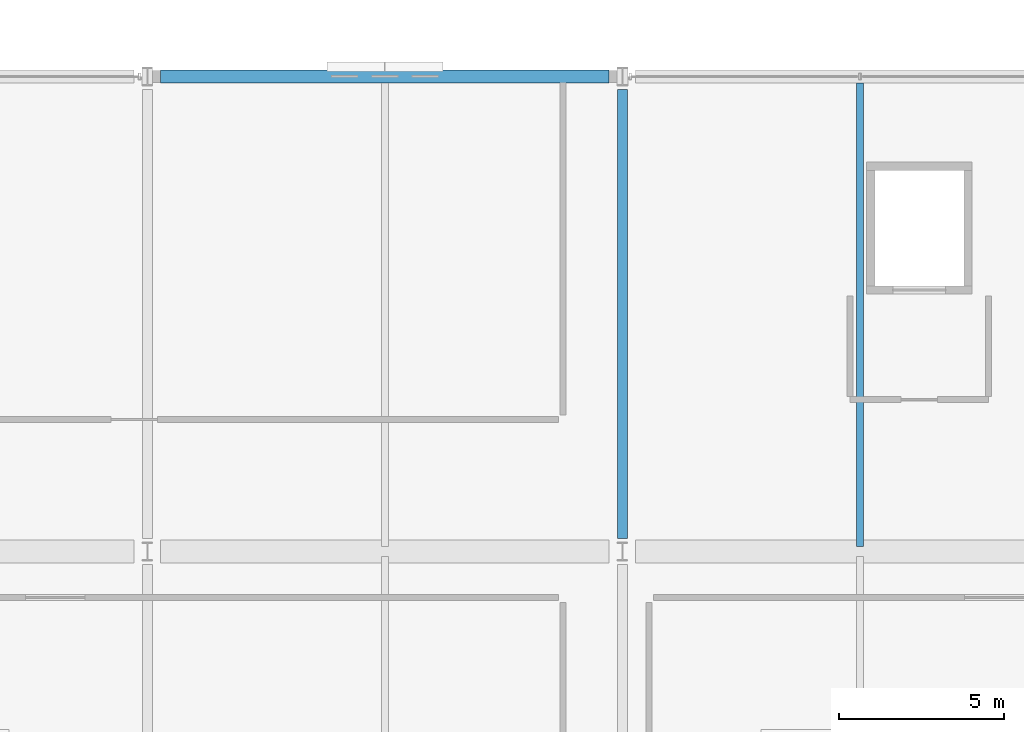
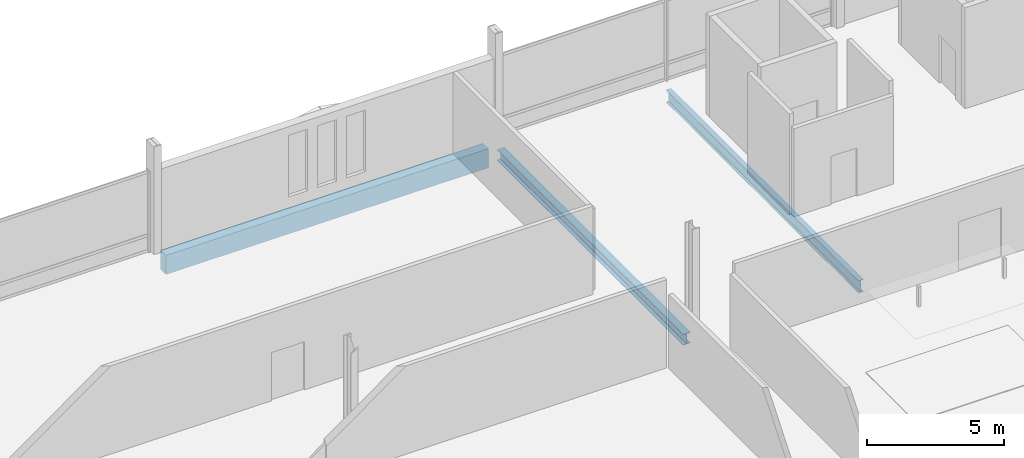
# One storey, part 126 of 220: 3 beams.
"""IFC4 building model written with IfcOpenShell, lengths in metres."""

from ifc_helpers import new_model, si_unit, direction, frame, origin, origin_2d, place, context, subcontext, project, spatial, rectangle, i_section, extrude, material, material_profile, profile_set, type_object, element, save


model = new_model("IFC4")

# Units and contexts
model_context = context("Model", 3, precision=1e-05, world=origin(), true_north=direction((0.0, 1.0)))
body_context = subcontext(model_context, "Body", "Model", "MODEL_VIEW")
ifc_project = project(units=[si_unit("LENGTHUNIT", "METRE"), si_unit("AREAUNIT", "SQUARE_METRE"), si_unit("VOLUMEUNIT", "CUBIC_METRE"), si_unit("PLANEANGLEUNIT", "RADIAN"), si_unit("MASSUNIT", "GRAM", prefix="KILO")], contexts=[model_context])

# Site, building, storey
site_placement = place(None, origin())
site = spatial("IfcSite", under=ifc_project, at=site_placement, CompositionType="ELEMENT")
building_placement = place(site_placement, origin())
building = spatial("IfcBuilding", under=site, at=building_placement, Name="Cendralis Lancet Convention Centre", CompositionType="ELEMENT")
storey_placement = place(building_placement, frame((0.0, 0.0, 5.39990234375)))
storey = spatial("IfcBuildingStorey", under=building, at=storey_placement, Name="L01", CompositionType="ELEMENT", Elevation=5.39990234375)

# Beams
ifc_material_1 = material(Name="Steel S355", Category="steel")
ifc_material_profile_1 = material_profile(ifc_material_1, i_section(OverallWidth=0.300048828125, OverallDepth=0.489990234375, WebThickness=0.011962890625, FlangeThickness=0.02294921875, FilletRadius=0.027099609375, at=origin_2d()), Name="HEA 500")
ifc_profile_set_1 = profile_set([ifc_material_profile_1], Name="Steel S355")
beam_type_1 = type_object("IfcBeamType", Name="STR-BM-SG12", PredefinedType="BEAM", material=ifc_profile_set_1)
beam_1_placement = place(storey_placement, frame((182.39990234375, 122.800048828125, -0.52490234375), z_axis=(0.0, 1.0, 0.0), x_axis=(-1.0, 0.0, 0.0)))
element("IfcBeam", 1, at=beam_1_placement, inside=storey, type_object=beam_type_1, Name="L01 Beam SG12 #1677", PredefinedType="BEAM", context=body_context, shape_type="SweptSolid", body=[
    extrude(i_section(OverallWidth=0.300048828125, OverallDepth=0.489990234375, WebThickness=0.011962890625, FlangeThickness=0.02294921875, FilletRadius=0.027099609375, at=origin_2d()), origin(), (0.0, 0.0, 1.0), 13.599853515625),
])
ifc_material_profile_2 = material_profile(ifc_material_1, i_section(OverallWidth=0.2099609375, OverallDepth=0.550048828125, WebThickness=0.010986328125, FlangeThickness=0.01708984375, FilletRadius=0.02392578125, at=origin_2d()), Name="IPE 550")
ifc_profile_set_2 = profile_set([ifc_material_profile_2], Name="Steel S355")
beam_type_2 = type_object("IfcBeamType", Name="STR-JS-BJ05", PredefinedType="JOIST", material=ifc_profile_set_2)
beam_2_placement = place(storey_placement, frame((189.60009765625, 122.550048828125, -0.554931640625), z_axis=(0.0, 1.0, 0.0), x_axis=(-1.0, 0.0, 0.0)))
element("IfcBeam", 2, at=beam_2_placement, inside=storey, type_object=beam_type_2, Name="L01 Beam BJ05 #1694", PredefinedType="JOIST", context=body_context, shape_type="SweptSolid", body=[
    extrude(i_section(OverallWidth=0.2099609375, OverallDepth=0.550048828125, WebThickness=0.010986328125, FlangeThickness=0.01708984375, FilletRadius=0.02392578125, at=origin_2d()), origin(), (0.0, 0.0, 1.0), 14.050048828125),
])
ifc_material_2 = material(Name="Concrete G40 (C40/50)", Category="concrete")
ifc_material_profile_3 = material_profile(ifc_material_2, rectangle(XDim=0.39990234375, YDim=0.85009765625, at=origin_2d()), Name="RCB 400x850")
ifc_profile_set_3 = profile_set([ifc_material_profile_3], Name="Concrete G40 (C40/50)")
beam_type_3 = type_object("IfcBeamType", Name="STR-SP-SP02", PredefinedType="SPANDREL", material=ifc_profile_set_3)
beam_3_placement = place(storey_placement, frame((168.39990234375, 136.800048828125, -0.704833984375), z_axis=(1.0, 0.0, 0.0), x_axis=(0.0, 1.0, 0.0)))
element("IfcBeam", 3, at=beam_3_placement, inside=storey, type_object=beam_type_3, Name="L01 Beam SP02 #1660", PredefinedType="SPANDREL", context=body_context, shape_type="SweptSolid", body=[
    extrude(rectangle(XDim=0.39990234375, YDim=0.85009765625, at=origin_2d()), origin(), (0.0, 0.0, 1.0), 13.60009765625),
])

save(model, "model.ifc")
